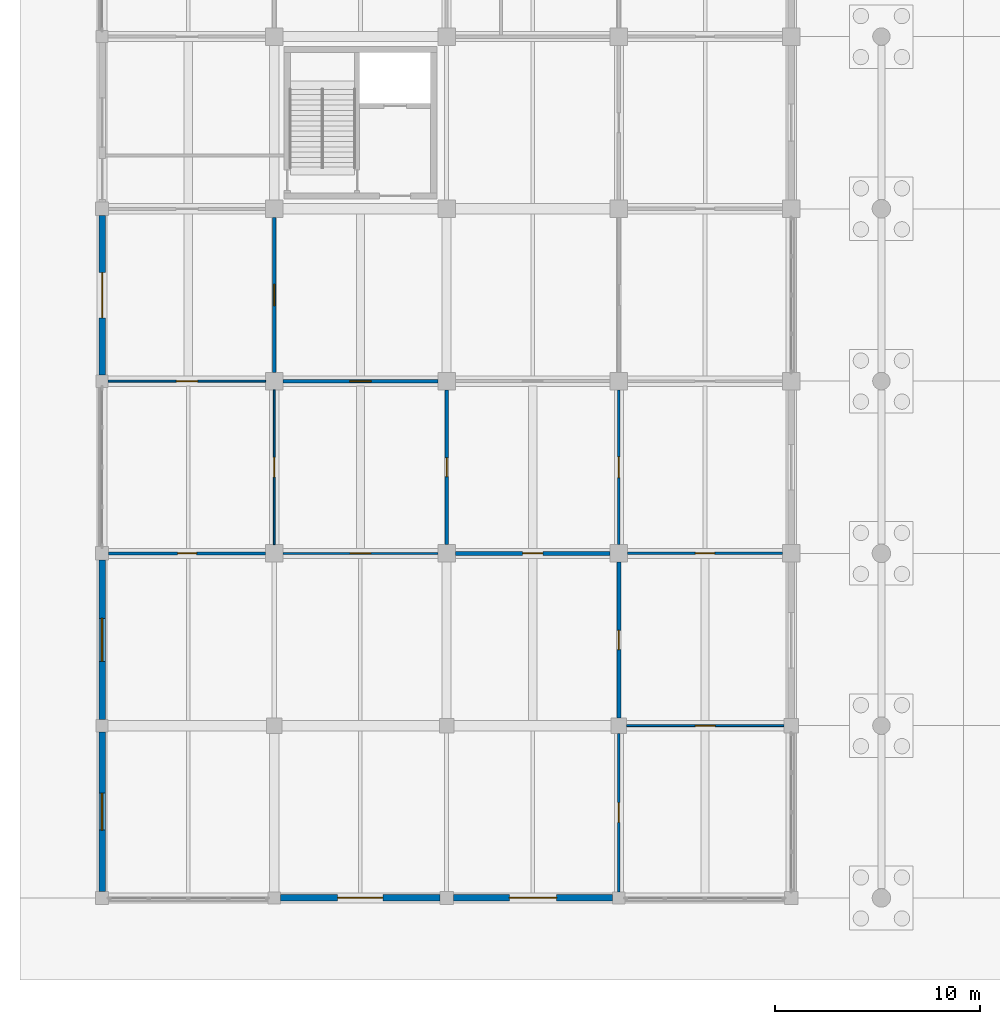
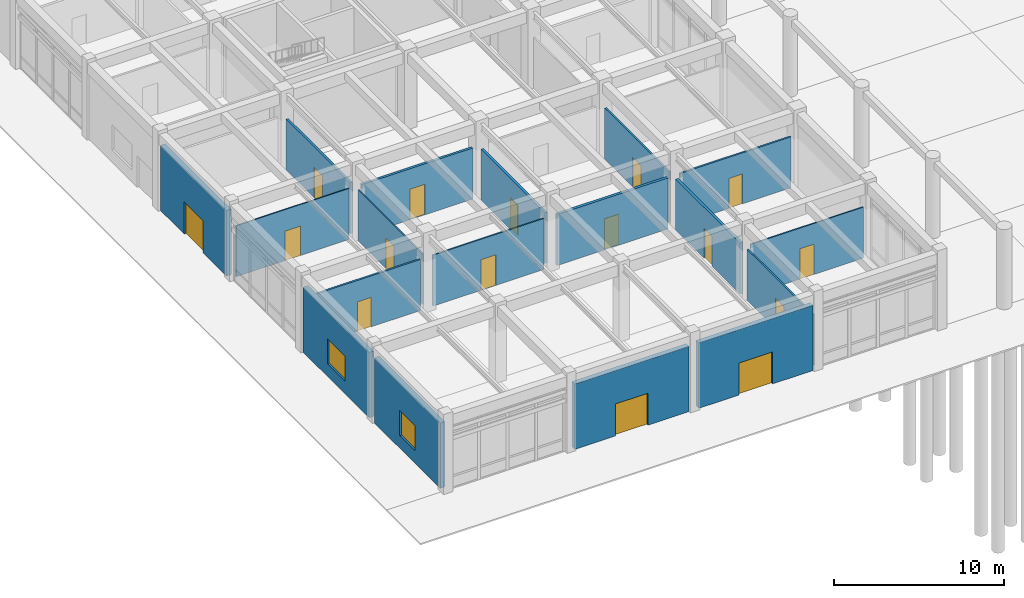
# One storey, part 65 of 91: 18 walls, 16 doors, 2 windows, 18 openings.
"""IFC4 building model written with IfcOpenShell, lengths in metres."""

from ifc_helpers import new_model, si_unit, direction, frame, frame_2d, origin, place, context, subcontext, project, spatial, rectangle, extrude, material, layer, layer_set, type_object, element, fill, save


model = new_model("IFC4")

# Units and contexts
model_context = context("Model", 3, precision=1e-05, world=origin(), true_north=direction((0.0, 1.0)))
body_context = subcontext(model_context, "Body", "Model", "MODEL_VIEW")
ifc_project = project(units=[si_unit("LENGTHUNIT", "METRE"), si_unit("AREAUNIT", "SQUARE_METRE"), si_unit("VOLUMEUNIT", "CUBIC_METRE"), si_unit("PLANEANGLEUNIT", "RADIAN"), si_unit("MASSUNIT", "GRAM", prefix="KILO")], contexts=[model_context])

# Site, building, storey
site_placement = place(None, origin())
site = spatial("IfcSite", under=ifc_project, at=site_placement, CompositionType="ELEMENT")
building_placement = place(site_placement, origin())
building = spatial("IfcBuilding", under=site, at=building_placement, Name="Porcellanite Civic Hall", CompositionType="ELEMENT")
storey_placement = place(building_placement, origin())
storey = spatial("IfcBuildingStorey", under=building, at=storey_placement, Name="L00", CompositionType="ELEMENT", Elevation=0.0)

# Wall, opening, window
ifc_material_1 = material(Name="Precast concrete N40 (40 MPa)", Category="concrete")
ifc_layer_1 = layer(ifc_material_1, 0.320068359375)
ifc_layer_set_1 = layer_set([ifc_layer_1], Name="Precast concrete N40 (40 MPa)")
wall_type_1 = type_object("IfcWallType", Name="EW-COM320", PredefinedType="SOLIDWALL", material=ifc_layer_set_1)
wall_1_placement = place(storey_placement, frame((0.0, 0.325927734375, 0.0), z_axis=(0.0, 0.0, 1.0), x_axis=(0.0, 1.0, 0.0)))
wall_1 = element("IfcWall", 1, at=wall_1_placement, inside=storey, type_object=wall_type_1, Name="Exterior wall L00 W 1-1", PredefinedType="SOLIDWALL", context=body_context, shape_type="SweptSolid", body=[
    extrude(rectangle(XDim=7.773193359375, YDim=0.320068359375, at=frame_2d((3.88671875, 0.0))), origin(), (0.0, 0.0, 1.0), 4.699951171875),
])
opening_1_placement = place(wall_1_placement, frame((2.986083984375, 0.0, 0.89990234375)))
opening_1 = element("IfcOpeningElement", 2, at=opening_1_placement, cuts=wall_1, Name="Opening W01", PredefinedType="OPENING", context=body_context, shape_type="SweptSolid", body=[
    extrude(rectangle(XDim=1.800048828125, YDim=1.800048828125, at=frame_2d((0.89990234375, 0.89990234375))), frame((0.0, 0.16015625, 0.0), z_axis=(0.0, -1.0, 0.0), x_axis=(1.0, 0.0, 0.0)), (0.0, 0.0, 1.0), 0.320068359375),
])
ifc_material_2 = material(Name="Cyclone laminated low-E glazing in anodised aluminium frame", Category="aluminium")
window_type_1 = type_object("IfcWindowType", Name="WN-01", PartitioningType="DOUBLE_PANEL_VERTICAL", PredefinedType="WINDOW", material=ifc_material_2)
window_1_placement = place(opening_1_placement, origin())
window_1 = element("IfcWindow", 3, at=window_1_placement, inside=storey, type_object=window_type_1, Name="Window W01 L00 W 1-1", OverallHeight=1.800048828125, OverallWidth=1.800048828125, PartitioningType="SINGLE_PANEL", PredefinedType="WINDOW", context=body_context, shape_type="SweptSolid", body=[
    extrude(rectangle(XDim=1.800048828125, YDim=1.800048828125, at=frame_2d((0.89990234375, 0.89990234375))), frame((0.0, 0.030029296875, 0.0), z_axis=(0.0, -1.0, 0.0), x_axis=(1.0, 0.0, 0.0)), (0.0, 0.0, 1.0), 0.06005859375),
])
fill(opening_1, window_1)

wall_2_placement = place(storey_placement, frame((0.0, 8.700927734375, 0.0), z_axis=(0.0, 0.0, 1.0), x_axis=(0.0, 1.0, 0.0)))
wall_2 = element("IfcWall", 4, at=wall_2_placement, inside=storey, type_object=wall_type_1, Name="Exterior wall L00 W 1-2", PredefinedType="SOLIDWALL", context=body_context, shape_type="SweptSolid", body=[
    extrude(rectangle(XDim=7.773193359375, YDim=0.320068359375, at=frame_2d((3.88671875, 0.0))), origin(), (0.0, 0.0, 1.0), 4.699951171875),
])
opening_2_placement = place(wall_2_placement, frame((2.8369140625, 0.0, 0.89990234375)))
opening_2 = element("IfcOpeningElement", 5, at=opening_2_placement, cuts=wall_2, Name="Opening W02", PredefinedType="OPENING", context=body_context, shape_type="SweptSolid", body=[
    extrude(rectangle(XDim=2.10009765625, YDim=1.800048828125, at=frame_2d((1.050048828125, 0.89990234375))), frame((0.0, 0.16015625, 0.0), z_axis=(0.0, -1.0, 0.0), x_axis=(1.0, 0.0, 0.0)), (0.0, 0.0, 1.0), 0.320068359375),
])
ifc_material_3 = material(Name="Cyclone laminated low-E glazing in anodised aluminium frame", Category="aluminium")
window_type_2 = type_object("IfcWindowType", Name="WN-02", PartitioningType="DOUBLE_PANEL_VERTICAL", PredefinedType="WINDOW", material=ifc_material_3)
window_2_placement = place(opening_2_placement, origin())
window_2 = element("IfcWindow", 6, at=window_2_placement, inside=storey, type_object=window_type_2, Name="Window W02 L00 W 1-2", OverallHeight=1.800048828125, OverallWidth=2.10009765625, PartitioningType="SINGLE_PANEL", PredefinedType="WINDOW", context=body_context, shape_type="SweptSolid", body=[
    extrude(rectangle(XDim=2.10009765625, YDim=1.800048828125, at=frame_2d((1.050048828125, 0.89990234375))), frame((0.0, 0.030029296875, 0.0), z_axis=(0.0, -1.0, 0.0), x_axis=(1.0, 0.0, 0.0)), (0.0, 0.0, 1.0), 0.06005859375),
])
fill(opening_2, window_2)

# Wall, opening, door
wall_3_placement = place(storey_placement, frame((0.0, 25.5009765625, 0.0), z_axis=(0.0, 0.0, 1.0), x_axis=(0.0, 1.0, 0.0)))
wall_3 = element("IfcWall", 7, at=wall_3_placement, inside=storey, type_object=wall_type_1, Name="Exterior wall L00 W 1-4", PredefinedType="SOLIDWALL", context=body_context, shape_type="SweptSolid", body=[
    extrude(rectangle(XDim=7.77294921875, YDim=0.320068359375, at=frame_2d((3.886474609375, 0.0))), origin(), (0.0, 0.0, 1.0), 4.699951171875),
])
opening_3_placement = place(wall_3_placement, frame((2.785888671875, 0.0, 0.0)))
opening_3 = element("IfcOpeningElement", 8, at=opening_3_placement, cuts=wall_3, Name="Opening ED-10", PredefinedType="OPENING", context=body_context, shape_type="SweptSolid", body=[
    extrude(rectangle(XDim=2.199951171875, YDim=2.300048828125, at=frame_2d((1.10009765625, 1.14990234375))), frame((0.0, 0.16015625, 0.0), z_axis=(0.0, -1.0, 0.0), x_axis=(1.0, 0.0, 0.0)), (0.0, 0.0, 1.0), 0.320068359375),
])
ifc_material_4 = material(Name="Anodised aluminium and laminated safety glass", Category="aluminium")
door_type_1 = type_object("IfcDoorType", Name="DR-EXIT200", OperationType="DOUBLE_DOOR_SINGLE_SWING", PredefinedType="DOOR", material=ifc_material_4)
door_1_placement = place(opening_3_placement, origin())
door_1 = element("IfcDoor", 9, at=door_1_placement, inside=storey, type_object=door_type_1, Name="Pedestrian final exit door ED-10", OperationType="DOUBLE_DOOR_SINGLE_SWING", OverallHeight=2.300048828125, OverallWidth=2.199951171875, PredefinedType="DOOR", context=body_context, shape_type="SweptSolid", body=[
    extrude(rectangle(XDim=2.199951171875, YDim=2.300048828125, at=frame_2d((1.10009765625, 1.14990234375))), frame((0.0, 0.02490234375, 0.0), z_axis=(0.0, -1.0, 0.0), x_axis=(1.0, 0.0, 0.0)), (0.0, 0.0, 1.0), 0.050048828125),
])
fill(opening_3, door_1)

wall_4_placement = place(storey_placement, frame((16.47412109375, 0.0, 0.0), z_axis=(0.0, 0.0, 1.0), x_axis=(-1.0, 0.0, 0.0)))
wall_4 = element("IfcWall", 10, at=wall_4_placement, inside=storey, type_object=wall_type_1, Name="Exterior wall L00 S 2-1", PredefinedType="SOLIDWALL", context=body_context, shape_type="SweptSolid", body=[
    extrude(rectangle(XDim=7.773193359375, YDim=0.320068359375, at=frame_2d((3.88671875, 0.0))), origin(), (0.0, 0.0, 1.0), 4.699951171875),
])
opening_4_placement = place(wall_4_placement, frame((2.785888671875, 0.0, 0.0)))
opening_4 = element("IfcOpeningElement", 11, at=opening_4_placement, cuts=wall_4, Name="Opening ED-08", PredefinedType="OPENING", context=body_context, shape_type="SweptSolid", body=[
    extrude(rectangle(XDim=2.199951171875, YDim=2.300048828125, at=frame_2d((1.10009765625, 1.14990234375))), frame((0.0, 0.16015625, 0.0), z_axis=(0.0, -1.0, 0.0), x_axis=(1.0, 0.0, 0.0)), (0.0, 0.0, 1.0), 0.320068359375),
])
door_2_placement = place(opening_4_placement, origin())
door_2 = element("IfcDoor", 12, at=door_2_placement, inside=storey, type_object=door_type_1, Name="Pedestrian final exit door ED-08", OperationType="DOUBLE_DOOR_SINGLE_SWING", OverallHeight=2.300048828125, OverallWidth=2.199951171875, PredefinedType="DOOR", context=body_context, shape_type="SweptSolid", body=[
    extrude(rectangle(XDim=2.199951171875, YDim=2.300048828125, at=frame_2d((1.10009765625, 1.14990234375))), frame((0.0, 0.02490234375, 0.0), z_axis=(0.0, -1.0, 0.0), x_axis=(1.0, 0.0, 0.0)), (0.0, 0.0, 1.0), 0.050048828125),
])
fill(opening_4, door_2)

wall_5_placement = place(storey_placement, frame((24.89892578125, 0.0, 0.0), z_axis=(0.0, 0.0, 1.0), x_axis=(-1.0, 0.0, 0.0)))
wall_5 = element("IfcWall", 13, at=wall_5_placement, inside=storey, type_object=wall_type_1, Name="Exterior wall L00 S 3-1", PredefinedType="SOLIDWALL", context=body_context, shape_type="SweptSolid", body=[
    extrude(rectangle(XDim=7.77294921875, YDim=0.320068359375, at=frame_2d((3.886474609375, 0.0))), origin(), (0.0, 0.0, 1.0), 4.699951171875),
])
opening_5_placement = place(wall_5_placement, frame((2.736083984375, 0.0, 0.0)))
opening_5 = element("IfcOpeningElement", 14, at=opening_5_placement, cuts=wall_5, Name="Opening ED-09", PredefinedType="OPENING", context=body_context, shape_type="SweptSolid", body=[
    extrude(rectangle(XDim=2.300048828125, YDim=2.300048828125, at=frame_2d((1.14990234375, 1.14990234375))), frame((0.0, 0.16015625, 0.0), z_axis=(0.0, -1.0, 0.0), x_axis=(1.0, 0.0, 0.0)), (0.0, 0.0, 1.0), 0.320068359375),
])
ifc_material_5 = material(Name="Anodised aluminium and laminated safety glass", Category="aluminium")
door_type_2 = type_object("IfcDoorType", Name="DR-EXIT210", OperationType="DOUBLE_DOOR_SINGLE_SWING", PredefinedType="DOOR", material=ifc_material_5)
door_3_placement = place(opening_5_placement, origin())
door_3 = element("IfcDoor", 15, at=door_3_placement, inside=storey, type_object=door_type_2, Name="Pedestrian final exit door ED-09", OperationType="DOUBLE_DOOR_SINGLE_SWING", OverallHeight=2.300048828125, OverallWidth=2.300048828125, PredefinedType="DOOR", context=body_context, shape_type="SweptSolid", body=[
    extrude(rectangle(XDim=2.300048828125, YDim=2.300048828125, at=frame_2d((1.14990234375, 1.14990234375))), frame((0.0, 0.02490234375, 0.0), z_axis=(0.0, -1.0, 0.0), x_axis=(1.0, 0.0, 0.0)), (0.0, 0.0, 1.0), 0.050048828125),
])
fill(opening_5, door_3)

ifc_material_6 = material(Name="Insulated acoustic plasterboard on light-gauge steel studs", Category="steel")
ifc_layer_2 = layer(ifc_material_6, 0.087890625)
ifc_layer_set_2 = layer_set([ifc_layer_2], Name="Insulated acoustic plasterboard on light-gauge steel studs")
wall_type_2 = type_object("IfcWallType", Name="IW-PT088", PredefinedType="PARTITIONING", material=ifc_layer_set_2)
wall_6_placement = place(storey_placement, frame((0.302001953125, 25.199951171875, 0.0), z_axis=(0.0, 0.0, 1.0), x_axis=(1.0, 0.0, 0.0)))
wall_6 = element("IfcWall", 16, at=wall_6_placement, inside=storey, type_object=wall_type_2, Name="Partition L00 H 1-3", PredefinedType="PARTITIONING", context=body_context, shape_type="SweptSolid", body=[
    extrude(rectangle(XDim=7.6708984375, YDim=0.087890625, at=frame_2d((3.83544921875, 0.0))), origin(), (0.0, 0.0, 1.0), 3.659912109375),
])
opening_6_placement = place(wall_6_placement, frame((3.31103515625, 0.0, 0.0)))
opening_6 = element("IfcOpeningElement", 17, at=opening_6_placement, cuts=wall_6, Name="Opening D-L00-139", PredefinedType="OPENING", context=body_context, shape_type="SweptSolid", body=[
    extrude(rectangle(XDim=1.050048828125, YDim=2.1201171875, at=frame_2d((0.52490234375, 1.06005859375))), frame((0.0, 0.0439453125, 0.0), z_axis=(0.0, -1.0, 0.0), x_axis=(1.0, 0.0, 0.0)), (0.0, 0.0, 1.0), 0.087890625),
])
ifc_material_7 = material(Name="Solid-core spotted-gum timber", Category="wood")
door_type_3 = type_object("IfcDoorType", Name="DR-RM105", OperationType="NOTDEFINED", PredefinedType="DOOR", material=ifc_material_7)
door_4_placement = place(opening_6_placement, origin())
door_4 = element("IfcDoor", 18, at=door_4_placement, inside=storey, type_object=door_type_3, Name="Interior door D-L00-139", OperationType="SINGLE_SWING_LEFT", OverallHeight=2.1201171875, OverallWidth=1.050048828125, PredefinedType="DOOR", context=body_context, shape_type="SweptSolid", body=[
    extrude(rectangle(XDim=1.050048828125, YDim=2.1201171875, at=frame_2d((0.52490234375, 1.06005859375))), frame((0.0, 0.02490234375, 0.0), z_axis=(0.0, -1.0, 0.0), x_axis=(1.0, 0.0, 0.0)), (0.0, 0.0, 1.0), 0.050048828125),
])
fill(opening_6, door_4)

wall_7_placement = place(storey_placement, frame((8.39990234375, 17.22705078125, 0.0), z_axis=(0.0, 0.0, 1.0), x_axis=(0.0, 1.0, 0.0)))
wall_7 = element("IfcWall", 19, at=wall_7_placement, inside=storey, type_object=wall_type_2, Name="Partition L00 V 1-3", PredefinedType="PARTITIONING", context=body_context, shape_type="SweptSolid", body=[
    extrude(rectangle(XDim=7.5458984375, YDim=0.087890625, at=frame_2d((3.77294921875, 0.0))), origin(), (0.0, 0.0, 1.0), 3.659912109375),
])
opening_7_placement = place(wall_7_placement, frame((3.29296875, 0.0, 0.0)))
opening_7 = element("IfcOpeningElement", 20, at=opening_7_placement, cuts=wall_7, Name="Opening D-L00-149", PredefinedType="OPENING", context=body_context, shape_type="SweptSolid", body=[
    extrude(rectangle(XDim=0.9599609375, YDim=2.179931640625, at=frame_2d((0.47998046875, 1.08984375))), frame((0.0, 0.0439453125, 0.0), z_axis=(0.0, -1.0, 0.0), x_axis=(1.0, 0.0, 0.0)), (0.0, 0.0, 1.0), 0.087890625),
])
ifc_material_8 = material(Name="Solid-core spotted-gum timber", Category="wood")
door_type_4 = type_object("IfcDoorType", Name="DR-RM096", OperationType="NOTDEFINED", PredefinedType="DOOR", material=ifc_material_8)
door_5_placement = place(opening_7_placement, origin())
door_5 = element("IfcDoor", 21, at=door_5_placement, inside=storey, type_object=door_type_4, Name="Interior door D-L00-149", OperationType="SINGLE_SWING_LEFT", OverallHeight=2.179931640625, OverallWidth=0.9599609375, PredefinedType="DOOR", context=body_context, shape_type="SweptSolid", body=[
    extrude(rectangle(XDim=0.9599609375, YDim=2.179931640625, at=frame_2d((0.47998046875, 1.08984375))), frame((0.0, 0.02490234375, 0.0), z_axis=(0.0, -1.0, 0.0), x_axis=(1.0, 0.0, 0.0)), (0.0, 0.0, 1.0), 0.050048828125),
])
fill(opening_7, door_5)

ifc_material_9 = material(Name="Insulated acoustic plasterboard on light-gauge steel studs", Category="steel")
ifc_layer_3 = layer(ifc_material_9, 0.094970703125)
ifc_layer_set_3 = layer_set([ifc_layer_3], Name="Insulated acoustic plasterboard on light-gauge steel studs")
wall_type_3 = type_object("IfcWallType", Name="IW-PT095", PredefinedType="PARTITIONING", material=ifc_layer_set_3)
wall_8_placement = place(storey_placement, frame((25.576904296875, 8.39990234375, 0.0), z_axis=(0.0, 0.0, 1.0), x_axis=(1.0, 0.0, 0.0)))
wall_8 = element("IfcWall", 22, at=wall_8_placement, inside=storey, type_object=wall_type_3, Name="Partition L00 H 4-1", PredefinedType="PARTITIONING", context=body_context, shape_type="SweptSolid", body=[
    extrude(rectangle(XDim=7.671142578125, YDim=0.094970703125, at=frame_2d((3.83544921875, 0.0))), origin(), (0.0, 0.0, 1.0), 3.659912109375),
])
opening_8_placement = place(wall_8_placement, frame((3.35595703125, 0.0, 0.0)))
opening_8 = element("IfcOpeningElement", 23, at=opening_8_placement, cuts=wall_8, Name="Opening D-L00-097", PredefinedType="OPENING", context=body_context, shape_type="SweptSolid", body=[
    extrude(rectangle(XDim=0.9599609375, YDim=2.179931640625, at=frame_2d((0.47998046875, 1.08984375))), frame((0.0, 0.04736328125, 0.0), z_axis=(0.0, -1.0, 0.0), x_axis=(1.0, 0.0, 0.0)), (0.0, 0.0, 1.0), 0.094970703125),
])
door_6_placement = place(opening_8_placement, origin())
door_6 = element("IfcDoor", 24, at=door_6_placement, inside=storey, type_object=door_type_4, Name="Interior door D-L00-097", OperationType="SINGLE_SWING_RIGHT", OverallHeight=2.179931640625, OverallWidth=0.9599609375, PredefinedType="DOOR", context=body_context, shape_type="SweptSolid", body=[
    extrude(rectangle(XDim=0.9599609375, YDim=2.179931640625, at=frame_2d((0.47998046875, 1.08984375))), frame((0.0, 0.02490234375, 0.0), z_axis=(0.0, -1.0, 0.0), x_axis=(1.0, 0.0, 0.0)), (0.0, 0.0, 1.0), 0.050048828125),
])
fill(opening_8, door_6)

ifc_material_10 = material(Name="Insulated acoustic plasterboard on light-gauge steel studs", Category="steel")
ifc_layer_4 = layer(ifc_material_10, 0.10498046875)
ifc_layer_set_4 = layer_set([ifc_layer_4], Name="Insulated acoustic plasterboard on light-gauge steel studs")
wall_type_4 = type_object("IfcWallType", Name="IW-PT105", PredefinedType="PARTITIONING", material=ifc_layer_set_4)
wall_9_placement = place(storey_placement, frame((8.826904296875, 16.800048828125, 0.0), z_axis=(0.0, 0.0, 1.0), x_axis=(1.0, 0.0, 0.0)))
wall_9 = element("IfcWall", 25, at=wall_9_placement, inside=storey, type_object=wall_type_4, Name="Partition L00 H 2-2", PredefinedType="PARTITIONING", context=body_context, shape_type="SweptSolid", body=[
    extrude(rectangle(XDim=7.546142578125, YDim=0.10498046875, at=frame_2d((3.77294921875, 0.0))), origin(), (0.0, 0.0, 1.0), 3.659912109375),
])
opening_9_placement = place(wall_9_placement, frame((3.27294921875, 0.0, 0.0)))
opening_9 = element("IfcOpeningElement", 26, at=opening_9_placement, cuts=wall_9, Name="Opening D-L00-095", PredefinedType="OPENING", context=body_context, shape_type="SweptSolid", body=[
    extrude(rectangle(XDim=1.0, YDim=2.199951171875, at=frame_2d((0.5, 1.10009765625))), frame((0.0, 0.052490234375, 0.0), z_axis=(0.0, -1.0, 0.0), x_axis=(1.0, 0.0, 0.0)), (0.0, 0.0, 1.0), 0.10498046875),
])
ifc_material_11 = material(Name="Solid-core spotted-gum timber", Category="wood")
door_type_5 = type_object("IfcDoorType", Name="DR-RM100", OperationType="NOTDEFINED", PredefinedType="DOOR", material=ifc_material_11)
door_7_placement = place(opening_9_placement, origin())
door_7 = element("IfcDoor", 27, at=door_7_placement, inside=storey, type_object=door_type_5, Name="Interior door D-L00-095", OperationType="SINGLE_SWING_RIGHT", OverallHeight=2.199951171875, OverallWidth=1.0, PredefinedType="DOOR", context=body_context, shape_type="SweptSolid", body=[
    extrude(rectangle(XDim=1.0, YDim=2.199951171875, at=frame_2d((0.5, 1.10009765625))), frame((0.0, 0.02490234375, 0.0), z_axis=(0.0, -1.0, 0.0), x_axis=(1.0, 0.0, 0.0)), (0.0, 0.0, 1.0), 0.050048828125),
])
fill(opening_9, door_7)

ifc_material_12 = material(Name="Insulated acoustic plasterboard on light-gauge steel studs", Category="steel")
ifc_layer_5 = layer(ifc_material_12, 0.125)
ifc_layer_set_5 = layer_set([ifc_layer_5], Name="Insulated acoustic plasterboard on light-gauge steel studs")
wall_type_5 = type_object("IfcWallType", Name="IW-PT125", PredefinedType="PARTITIONING", material=ifc_layer_set_5)
wall_10_placement = place(storey_placement, frame((25.199951171875, 0.302001953125, 0.0), z_axis=(0.0, 0.0, 1.0), x_axis=(0.0, 1.0, 0.0)))
wall_10 = element("IfcWall", 28, at=wall_10_placement, inside=storey, type_object=wall_type_5, Name="Partition L00 V 3-1", PredefinedType="PARTITIONING", context=body_context, shape_type="SweptSolid", body=[
    extrude(rectangle(XDim=7.720947265625, YDim=0.125, at=frame_2d((3.8603515625, 0.0))), origin(), (0.0, 0.0, 1.0), 3.659912109375),
])
opening_10_placement = place(wall_10_placement, frame((3.381103515625, 0.0, 0.0)))
opening_10 = element("IfcOpeningElement", 29, at=opening_10_placement, cuts=wall_10, Name="Opening D-L00-123", PredefinedType="OPENING", context=body_context, shape_type="SweptSolid", body=[
    extrude(rectangle(XDim=0.9599609375, YDim=2.179931640625, at=frame_2d((0.47998046875, 1.08984375))), frame((0.0, 0.0625, 0.0), z_axis=(0.0, -1.0, 0.0), x_axis=(1.0, 0.0, 0.0)), (0.0, 0.0, 1.0), 0.125),
])
door_8_placement = place(opening_10_placement, origin())
door_8 = element("IfcDoor", 30, at=door_8_placement, inside=storey, type_object=door_type_4, Name="Interior door D-L00-123", OperationType="SINGLE_SWING_LEFT", OverallHeight=2.179931640625, OverallWidth=0.9599609375, PredefinedType="DOOR", context=body_context, shape_type="SweptSolid", body=[
    extrude(rectangle(XDim=0.9599609375, YDim=2.179931640625, at=frame_2d((0.47998046875, 1.08984375))), frame((0.0, 0.02490234375, 0.0), z_axis=(0.0, -1.0, 0.0), x_axis=(1.0, 0.0, 0.0)), (0.0, 0.0, 1.0), 0.050048828125),
])
fill(opening_10, door_8)

ifc_material_13 = material(Name="Insulated acoustic plasterboard on light-gauge steel studs", Category="steel")
ifc_layer_6 = layer(ifc_material_13, 0.135009765625)
ifc_layer_set_6 = layer_set([ifc_layer_6], Name="Insulated acoustic plasterboard on light-gauge steel studs")
wall_type_6 = type_object("IfcWallType", Name="IW-PT135", PredefinedType="PARTITIONING", material=ifc_layer_set_6)
wall_11_placement = place(storey_placement, frame((0.326904296875, 16.800048828125, 0.0), z_axis=(0.0, 0.0, 1.0), x_axis=(1.0, 0.0, 0.0)))
wall_11 = element("IfcWall", 31, at=wall_11_placement, inside=storey, type_object=wall_type_6, Name="Partition L00 H 1-2", PredefinedType="PARTITIONING", context=body_context, shape_type="SweptSolid", body=[
    extrude(rectangle(XDim=7.64599609375, YDim=0.135009765625, at=frame_2d((3.822998046875, 0.0))), origin(), (0.0, 0.0, 1.0), 3.659912109375),
])
opening_11_placement = place(wall_11_placement, frame((3.35791015625, 0.0, 0.0)))
opening_11 = element("IfcOpeningElement", 32, at=opening_11_placement, cuts=wall_11, Name="Opening D-L00-090", PredefinedType="OPENING", context=body_context, shape_type="SweptSolid", body=[
    extrude(rectangle(XDim=0.929931640625, YDim=2.1201171875, at=frame_2d((0.46484375, 1.06005859375))), frame((0.0, 0.0673828125, 0.0), z_axis=(0.0, -1.0, 0.0), x_axis=(1.0, 0.0, 0.0)), (0.0, 0.0, 1.0), 0.135009765625),
])
ifc_material_14 = material(Name="Solid-core spotted-gum timber", Category="wood")
door_type_6 = type_object("IfcDoorType", Name="DR-RM093", OperationType="NOTDEFINED", PredefinedType="DOOR", material=ifc_material_14)
door_9_placement = place(opening_11_placement, origin())
door_9 = element("IfcDoor", 33, at=door_9_placement, inside=storey, type_object=door_type_6, Name="Interior door D-L00-090", OperationType="SINGLE_SWING_LEFT", OverallHeight=2.1201171875, OverallWidth=0.929931640625, PredefinedType="DOOR", context=body_context, shape_type="SweptSolid", body=[
    extrude(rectangle(XDim=0.929931640625, YDim=2.1201171875, at=frame_2d((0.46484375, 1.06005859375))), frame((0.0, 0.02490234375, 0.0), z_axis=(0.0, -1.0, 0.0), x_axis=(1.0, 0.0, 0.0)), (0.0, 0.0, 1.0), 0.050048828125),
])
fill(opening_11, door_9)

ifc_material_15 = material(Name="Insulated acoustic plasterboard on light-gauge steel studs", Category="steel")
ifc_layer_7 = layer(ifc_material_15, 0.155029296875)
ifc_layer_set_7 = layer_set([ifc_layer_7], Name="Insulated acoustic plasterboard on light-gauge steel studs")
wall_type_7 = type_object("IfcWallType", Name="IW-PT155", PredefinedType="PARTITIONING", material=ifc_layer_set_7)
wall_12_placement = place(storey_placement, frame((8.39990234375, 25.626953125, 0.0), z_axis=(0.0, 0.0, 1.0), x_axis=(0.0, 1.0, 0.0)))
wall_12 = element("IfcWall", 34, at=wall_12_placement, inside=storey, type_object=wall_type_7, Name="Partition L00 V 1-4", PredefinedType="PARTITIONING", context=body_context, shape_type="SweptSolid", body=[
    extrude(rectangle(XDim=7.546142578125, YDim=0.155029296875, at=frame_2d((3.77294921875, 0.0))), origin(), (0.0, 0.0, 1.0), 3.659912109375),
])
opening_12_placement = place(wall_12_placement, frame((3.2529296875, 0.0, 0.0)))
opening_12 = element("IfcOpeningElement", 35, at=opening_12_placement, cuts=wall_12, Name="Opening D-L00-067", PredefinedType="OPENING", context=body_context, shape_type="SweptSolid", body=[
    extrude(rectangle(XDim=1.0400390625, YDim=2.199951171875, at=frame_2d((0.52001953125, 1.10009765625))), frame((0.0, 0.07763671875, 0.0), z_axis=(0.0, -1.0, 0.0), x_axis=(1.0, 0.0, 0.0)), (0.0, 0.0, 1.0), 0.155029296875),
])
ifc_material_16 = material(Name="Solid-core spotted-gum timber", Category="wood")
door_type_7 = type_object("IfcDoorType", Name="DR-RM104", OperationType="NOTDEFINED", PredefinedType="DOOR", material=ifc_material_16)
door_10_placement = place(opening_12_placement, origin())
door_10 = element("IfcDoor", 36, at=door_10_placement, inside=storey, type_object=door_type_7, Name="Interior door D-L00-067", OperationType="SINGLE_SWING_RIGHT", OverallHeight=2.199951171875, OverallWidth=1.0400390625, PredefinedType="DOOR", context=body_context, shape_type="SweptSolid", body=[
    extrude(rectangle(XDim=1.0400390625, YDim=2.199951171875, at=frame_2d((0.52001953125, 1.10009765625))), frame((0.0, 0.02490234375, 0.0), z_axis=(0.0, -1.0, 0.0), x_axis=(1.0, 0.0, 0.0)), (0.0, 0.0, 1.0), 0.050048828125),
])
fill(opening_12, door_10)

ifc_material_17 = material(Name="Insulated acoustic plasterboard on light-gauge steel studs", Category="steel")
ifc_layer_8 = layer(ifc_material_17, 0.175048828125)
ifc_layer_set_8 = layer_set([ifc_layer_8], Name="Insulated acoustic plasterboard on light-gauge steel studs")
wall_type_8 = type_object("IfcWallType", Name="IW-PT175", PredefinedType="PARTITIONING", material=ifc_layer_set_8)
wall_13_placement = place(storey_placement, frame((8.826904296875, 25.199951171875, 0.0), z_axis=(0.0, 0.0, 1.0), x_axis=(1.0, 0.0, 0.0)))
wall_13 = element("IfcWall", 37, at=wall_13_placement, inside=storey, type_object=wall_type_8, Name="Partition L00 H 2-3", PredefinedType="PARTITIONING", context=body_context, shape_type="SweptSolid", body=[
    extrude(rectangle(XDim=7.546142578125, YDim=0.175048828125, at=frame_2d((3.77294921875, 0.0))), origin(), (0.0, 0.0, 1.0), 3.659912109375),
])
opening_13_placement = place(wall_13_placement, frame((3.2529296875, 0.0, 0.0)))
opening_13 = element("IfcOpeningElement", 38, at=opening_13_placement, cuts=wall_13, Name="Opening D-L00-041", PredefinedType="OPENING", context=body_context, shape_type="SweptSolid", body=[
    extrude(rectangle(XDim=1.0400390625, YDim=2.199951171875, at=frame_2d((0.52001953125, 1.10009765625))), frame((0.0, 0.08740234375, 0.0), z_axis=(0.0, -1.0, 0.0), x_axis=(1.0, 0.0, 0.0)), (0.0, 0.0, 1.0), 0.175048828125),
])
door_11_placement = place(opening_13_placement, origin())
door_11 = element("IfcDoor", 39, at=door_11_placement, inside=storey, type_object=door_type_7, Name="Interior door D-L00-041", OperationType="SINGLE_SWING_LEFT", OverallHeight=2.199951171875, OverallWidth=1.0400390625, PredefinedType="DOOR", context=body_context, shape_type="SweptSolid", body=[
    extrude(rectangle(XDim=1.0400390625, YDim=2.199951171875, at=frame_2d((0.52001953125, 1.10009765625))), frame((0.0, 0.02490234375, 0.0), z_axis=(0.0, -1.0, 0.0), x_axis=(1.0, 0.0, 0.0)), (0.0, 0.0, 1.0), 0.050048828125),
])
fill(opening_13, door_11)

wall_14_placement = place(storey_placement, frame((16.800048828125, 17.22705078125, 0.0), z_axis=(0.0, 0.0, 1.0), x_axis=(0.0, 1.0, 0.0)))
wall_14 = element("IfcWall", 40, at=wall_14_placement, inside=storey, type_object=wall_type_8, Name="Partition L00 V 2-3", PredefinedType="PARTITIONING", context=body_context, shape_type="SweptSolid", body=[
    extrude(rectangle(XDim=7.5458984375, YDim=0.175048828125, at=frame_2d((3.77294921875, 0.0))), origin(), (0.0, 0.0, 1.0), 3.659912109375),
])
opening_14_placement = place(wall_14_placement, frame((3.31298828125, 0.0, 0.0)))
opening_14 = element("IfcOpeningElement", 41, at=opening_14_placement, cuts=wall_14, Name="Opening D-L00-151", PredefinedType="OPENING", context=body_context, shape_type="SweptSolid", body=[
    extrude(rectangle(XDim=0.919921875, YDim=2.14990234375, at=frame_2d((0.4599609375, 1.074951171875))), frame((0.0, 0.08740234375, 0.0), z_axis=(0.0, -1.0, 0.0), x_axis=(1.0, 0.0, 0.0)), (0.0, 0.0, 1.0), 0.175048828125),
])
ifc_material_18 = material(Name="Solid-core spotted-gum timber", Category="wood")
door_type_8 = type_object("IfcDoorType", Name="DR-RM092", OperationType="NOTDEFINED", PredefinedType="DOOR", material=ifc_material_18)
door_12_placement = place(opening_14_placement, origin())
door_12 = element("IfcDoor", 42, at=door_12_placement, inside=storey, type_object=door_type_8, Name="Interior door D-L00-151", OperationType="SINGLE_SWING_LEFT", OverallHeight=2.14990234375, OverallWidth=0.919921875, PredefinedType="DOOR", context=body_context, shape_type="SweptSolid", body=[
    extrude(rectangle(XDim=0.919921875, YDim=2.14990234375, at=frame_2d((0.4599609375, 1.074951171875))), frame((0.0, 0.02490234375, 0.0), z_axis=(0.0, -1.0, 0.0), x_axis=(1.0, 0.0, 0.0)), (0.0, 0.0, 1.0), 0.050048828125),
])
fill(opening_14, door_12)

ifc_material_19 = material(Name="Insulated acoustic plasterboard on light-gauge steel studs", Category="steel")
ifc_layer_9 = layer(ifc_material_19, 0.195068359375)
ifc_layer_set_9 = layer_set([ifc_layer_9], Name="Insulated acoustic plasterboard on light-gauge steel studs")
wall_type_9 = type_object("IfcWallType", Name="IW-PT195", PredefinedType="PARTITIONING", material=ifc_layer_set_9)
wall_15_placement = place(storey_placement, frame((17.22705078125, 16.800048828125, 0.0), z_axis=(0.0, 0.0, 1.0), x_axis=(1.0, 0.0, 0.0)))
wall_15 = element("IfcWall", 43, at=wall_15_placement, inside=storey, type_object=wall_type_9, Name="Partition L00 H 3-2", PredefinedType="PARTITIONING", context=body_context, shape_type="SweptSolid", body=[
    extrude(rectangle(XDim=7.5458984375, YDim=0.195068359375, at=frame_2d((3.77294921875, 0.0))), origin(), (0.0, 0.0, 1.0), 3.659912109375),
])
opening_15_placement = place(wall_15_placement, frame((3.282958984375, 0.0, 0.0)))
opening_15 = element("IfcOpeningElement", 44, at=opening_15_placement, cuts=wall_15, Name="Opening D-L00-096", PredefinedType="OPENING", context=body_context, shape_type="SweptSolid", body=[
    extrude(rectangle(XDim=0.97998046875, YDim=2.179931640625, at=frame_2d((0.489990234375, 1.08984375))), frame((0.0, 0.09765625, 0.0), z_axis=(0.0, -1.0, 0.0), x_axis=(1.0, 0.0, 0.0)), (0.0, 0.0, 1.0), 0.195068359375),
])
ifc_material_20 = material(Name="Solid-core spotted-gum timber", Category="wood")
door_type_9 = type_object("IfcDoorType", Name="DR-RM098", OperationType="NOTDEFINED", PredefinedType="DOOR", material=ifc_material_20)
door_13_placement = place(opening_15_placement, origin())
door_13 = element("IfcDoor", 45, at=door_13_placement, inside=storey, type_object=door_type_9, Name="Interior door D-L00-096", OperationType="SINGLE_SWING_LEFT", OverallHeight=2.179931640625, OverallWidth=0.97998046875, PredefinedType="DOOR", context=body_context, shape_type="SweptSolid", body=[
    extrude(rectangle(XDim=0.97998046875, YDim=2.179931640625, at=frame_2d((0.489990234375, 1.08984375))), frame((0.0, 0.02490234375, 0.0), z_axis=(0.0, -1.0, 0.0), x_axis=(1.0, 0.0, 0.0)), (0.0, 0.0, 1.0), 0.050048828125),
])
fill(opening_15, door_13)

wall_16_placement = place(storey_placement, frame((25.199951171875, 8.777099609375, 0.0), z_axis=(0.0, 0.0, 1.0), x_axis=(0.0, 1.0, 0.0)))
wall_16 = element("IfcWall", 46, at=wall_16_placement, inside=storey, type_object=wall_type_9, Name="Partition L00 V 3-2", PredefinedType="PARTITIONING", context=body_context, shape_type="SweptSolid", body=[
    extrude(rectangle(XDim=7.595947265625, YDim=0.195068359375, at=frame_2d((3.7978515625, 0.0))), origin(), (0.0, 0.0, 1.0), 3.659912109375),
])
opening_16_placement = place(wall_16_placement, frame((3.327880859375, 0.0, 0.0)))
opening_16 = element("IfcOpeningElement", 47, at=opening_16_placement, cuts=wall_16, Name="Opening D-L00-124", PredefinedType="OPENING", context=body_context, shape_type="SweptSolid", body=[
    extrude(rectangle(XDim=0.93994140625, YDim=2.14990234375, at=frame_2d((0.469970703125, 1.074951171875))), frame((0.0, 0.09765625, 0.0), z_axis=(0.0, -1.0, 0.0), x_axis=(1.0, 0.0, 0.0)), (0.0, 0.0, 1.0), 0.195068359375),
])
ifc_material_21 = material(Name="Solid-core spotted-gum timber", Category="wood")
door_type_10 = type_object("IfcDoorType", Name="DR-RM094", OperationType="NOTDEFINED", PredefinedType="DOOR", material=ifc_material_21)
door_14_placement = place(opening_16_placement, origin())
door_14 = element("IfcDoor", 48, at=door_14_placement, inside=storey, type_object=door_type_10, Name="Interior door D-L00-124", OperationType="SINGLE_SWING_RIGHT", OverallHeight=2.14990234375, OverallWidth=0.93994140625, PredefinedType="DOOR", context=body_context, shape_type="SweptSolid", body=[
    extrude(rectangle(XDim=0.93994140625, YDim=2.14990234375, at=frame_2d((0.469970703125, 1.074951171875))), frame((0.0, 0.02490234375, 0.0), z_axis=(0.0, -1.0, 0.0), x_axis=(1.0, 0.0, 0.0)), (0.0, 0.0, 1.0), 0.050048828125),
])
fill(opening_16, door_14)

ifc_material_22 = material(Name="Acoustic timber-veneered operable panel system", Category="wood")
ifc_layer_10 = layer(ifc_material_22, 0.1298828125)
ifc_layer_set_10 = layer_set([ifc_layer_10], Name="Acoustic timber-veneered operable panel system")
wall_type_10 = type_object("IfcWallType", Name="MW-OP130", PredefinedType="MOVABLE", material=ifc_layer_set_10)
wall_17_placement = place(storey_placement, frame((25.626953125, 16.800048828125, 0.0), z_axis=(0.0, 0.0, 1.0), x_axis=(1.0, 0.0, 0.0)))
wall_17 = element("IfcWall", 49, at=wall_17_placement, inside=storey, type_object=wall_type_10, Name="Partition L00 H 4-2", PredefinedType="MOVABLE", context=body_context, shape_type="SweptSolid", body=[
    extrude(rectangle(XDim=7.546142578125, YDim=0.1298828125, at=frame_2d((3.77294921875, 0.0))), origin(), (0.0, 0.0, 1.0), 3.659912109375),
])
opening_17_placement = place(wall_17_placement, frame((3.302978515625, 0.0, 0.0)))
opening_17 = element("IfcOpeningElement", 50, at=opening_17_placement, cuts=wall_17, Name="Opening D-L00-098", PredefinedType="OPENING", context=body_context, shape_type="SweptSolid", body=[
    extrude(rectangle(XDim=0.93994140625, YDim=2.14990234375, at=frame_2d((0.469970703125, 1.074951171875))), frame((0.0, 0.06494140625, 0.0), z_axis=(0.0, -1.0, 0.0), x_axis=(1.0, 0.0, 0.0)), (0.0, 0.0, 1.0), 0.1298828125),
])
door_15_placement = place(opening_17_placement, origin())
door_15 = element("IfcDoor", 51, at=door_15_placement, inside=storey, type_object=door_type_10, Name="Interior door D-L00-098", OperationType="SINGLE_SWING_LEFT", OverallHeight=2.14990234375, OverallWidth=0.93994140625, PredefinedType="DOOR", context=body_context, shape_type="SweptSolid", body=[
    extrude(rectangle(XDim=0.93994140625, YDim=2.14990234375, at=frame_2d((0.469970703125, 1.074951171875))), frame((0.0, 0.02490234375, 0.0), z_axis=(0.0, -1.0, 0.0), x_axis=(1.0, 0.0, 0.0)), (0.0, 0.0, 1.0), 0.050048828125),
])
fill(opening_17, door_15)

wall_18_placement = place(storey_placement, frame((25.199951171875, 17.22705078125, 0.0), z_axis=(0.0, 0.0, 1.0), x_axis=(0.0, 1.0, 0.0)))
wall_18 = element("IfcWall", 52, at=wall_18_placement, inside=storey, type_object=wall_type_10, Name="Partition L00 V 3-3", PredefinedType="MOVABLE", context=body_context, shape_type="SweptSolid", body=[
    extrude(rectangle(XDim=7.5458984375, YDim=0.1298828125, at=frame_2d((3.77294921875, 0.0))), origin(), (0.0, 0.0, 1.0), 3.659912109375),
])
opening_18_placement = place(wall_18_placement, frame((3.26806640625, 0.0, 0.0)))
opening_18 = element("IfcOpeningElement", 53, at=opening_18_placement, cuts=wall_18, Name="Opening D-L00-153", PredefinedType="OPENING", context=body_context, shape_type="SweptSolid", body=[
    extrude(rectangle(XDim=1.010009765625, YDim=2.1201171875, at=frame_2d((0.5048828125, 1.06005859375))), frame((0.0, 0.06494140625, 0.0), z_axis=(0.0, -1.0, 0.0), x_axis=(1.0, 0.0, 0.0)), (0.0, 0.0, 1.0), 0.1298828125),
])
ifc_material_23 = material(Name="Solid-core spotted-gum timber", Category="wood")
door_type_11 = type_object("IfcDoorType", Name="DR-RM101", OperationType="NOTDEFINED", PredefinedType="DOOR", material=ifc_material_23)
door_16_placement = place(opening_18_placement, origin())
door_16 = element("IfcDoor", 54, at=door_16_placement, inside=storey, type_object=door_type_11, Name="Interior door D-L00-153", OperationType="SINGLE_SWING_LEFT", OverallHeight=2.1201171875, OverallWidth=1.010009765625, PredefinedType="DOOR", context=body_context, shape_type="SweptSolid", body=[
    extrude(rectangle(XDim=1.010009765625, YDim=2.1201171875, at=frame_2d((0.5048828125, 1.06005859375))), frame((0.0, 0.02490234375, 0.0), z_axis=(0.0, -1.0, 0.0), x_axis=(1.0, 0.0, 0.0)), (0.0, 0.0, 1.0), 0.050048828125),
])
fill(opening_18, door_16)

save(model, "model.ifc")
